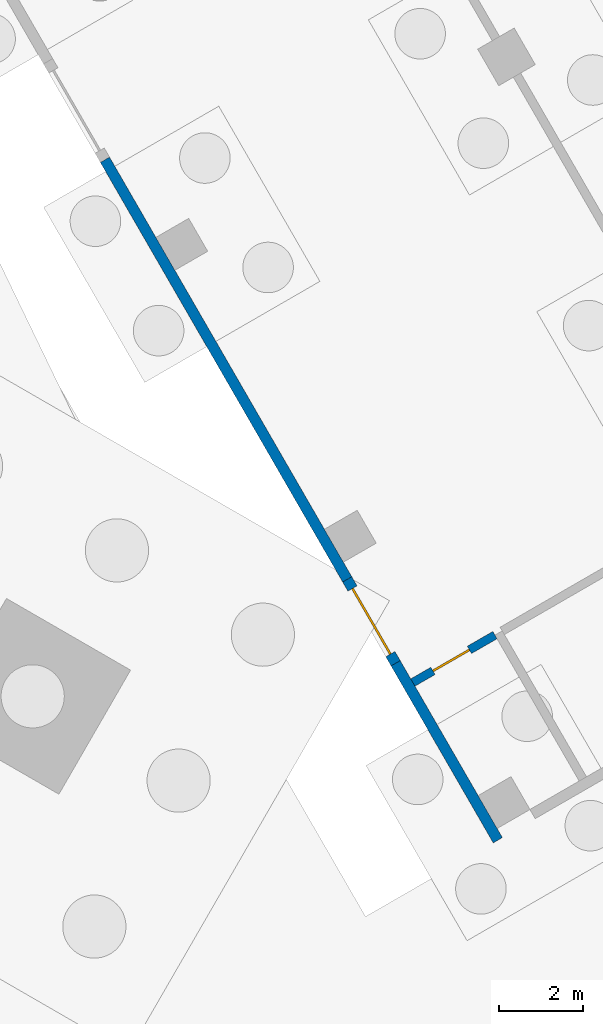
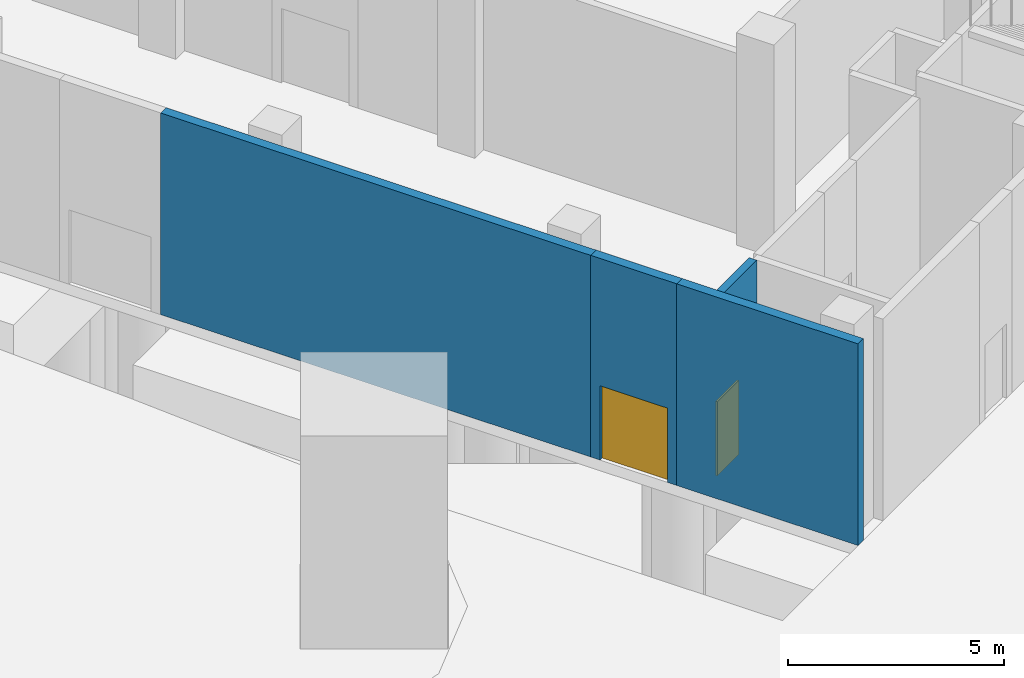
# One storey, part 13 of 38: 4 walls, 2 doors, 2 openings.
"""IFC4 building model written with IfcOpenShell, lengths in metres."""

from ifc_helpers import new_model, si_unit, direction, frame, frame_2d, origin, place, context, subcontext, project, spatial, rectangle, extrude, material, layer, layer_set, type_object, element, fill, save


model = new_model("IFC4")

# Units and contexts
model_context = context("Model", 3, precision=1e-05, world=origin(), true_north=direction((0.0, 1.0)))
body_context = subcontext(model_context, "Body", "Model", "MODEL_VIEW")
ifc_project = project(units=[si_unit("LENGTHUNIT", "METRE"), si_unit("AREAUNIT", "SQUARE_METRE"), si_unit("VOLUMEUNIT", "CUBIC_METRE"), si_unit("PLANEANGLEUNIT", "RADIAN"), si_unit("MASSUNIT", "GRAM", prefix="KILO")], contexts=[model_context])

# Site, building, storey
site_placement = place(None, origin())
site = spatial("IfcSite", under=ifc_project, at=site_placement, CompositionType="ELEMENT")
building_placement = place(site_placement, origin())
building = spatial("IfcBuilding", under=site, at=building_placement, Name="Mestral Congress Tower", CompositionType="ELEMENT")
storey_placement = place(building_placement, origin())
storey = spatial("IfcBuildingStorey", under=building, at=storey_placement, Name="L00", CompositionType="ELEMENT", Elevation=0.0)

# Wall
ifc_material_1 = material(Name="Precast concrete C40/50 with limestone facing", Category="masonry")
ifc_layer_1 = layer(ifc_material_1, 0.25)
ifc_layer_set_1 = layer_set([ifc_layer_1], Name="Precast concrete C40/50 with limestone facing")
wall_type_1 = type_object("IfcWallType", Name="Podium external wall 250", PredefinedType="SOLIDWALL", material=ifc_layer_set_1)
wall_1_placement = place(storey_placement, frame((42.5625, -21.614501953125, 0.0), z_axis=(0.0, 0.0, 1.0), x_axis=(-0.499972286653, 0.866041403502, 0.0)))
element("IfcWall", 1, at=wall_1_placement, inside=storey, type_object=wall_type_1, Name="L00 external wall", PredefinedType="SOLIDWALL", context=body_context, shape_type="SweptSolid", body=[
    extrude(rectangle(XDim=4.849853515625, YDim=0.25, at=frame_2d((2.4248046875, 0.0))), origin(), (0.0, 0.0, 1.0), 5.699951171875),
])

# Wall, opening, door
wall_2_placement = place(storey_placement, frame((40.1376953125, -17.414306640625, 0.0), z_axis=(0.0, 0.0, 1.0), x_axis=(-0.500031774688, 0.866007057882, 0.0)))
wall_2 = element("IfcWall", 2, at=wall_2_placement, inside=storey, type_object=wall_type_1, Name="L00 external wall", PredefinedType="SOLIDWALL", context=body_context, shape_type="SweptSolid", body=[
    extrude(rectangle(XDim=2.300048828125, YDim=0.25, at=frame_2d((1.14990234375, 0.0))), origin(), (0.0, 0.0, 1.0), 5.699951171875),
])
opening_1_placement = place(wall_2_placement, frame((0.25, 0.0, 0.0)))
opening_1 = element("IfcOpeningElement", 3, at=opening_1_placement, cuts=wall_2, Name="Opening P00-001", PredefinedType="OPENING", context=body_context, shape_type="SweptSolid", body=[
    extrude(rectangle(XDim=1.800048828125, YDim=2.10009765625, at=frame_2d((0.89990234375, 1.050048828125))), frame((0.0, 0.135009765625, 0.0), z_axis=(0.0, -1.0, 0.0), x_axis=(1.0, 0.0, 0.0)), (0.0, 0.0, 1.0), 0.27001953125),
])
ifc_material_2 = material(Name="Steel and glass door set", Category="steel")
door_type_1 = type_object("IfcDoorType", Name="Podium exit door 1800x2100", OperationType="DOUBLE_DOOR_SINGLE_SWING", PredefinedType="DOOR", material=ifc_material_2)
door_1_placement = place(opening_1_placement, origin())
door_1 = element("IfcDoor", 4, at=door_1_placement, inside=storey, type_object=door_type_1, Name="Door P00-001", OperationType="DOUBLE_DOOR_SINGLE_SWING", OverallHeight=2.10009765625, OverallWidth=1.800048828125, PredefinedType="DOOR", context=body_context, shape_type="SweptSolid", body=[
    extrude(rectangle(XDim=1.800048828125, YDim=2.10009765625, at=frame_2d((0.89990234375, 1.050048828125))), frame((0.0, 0.02490234375, 0.0), z_axis=(0.0, -1.0, 0.0), x_axis=(1.0, 0.0, 0.0)), (0.0, 0.0, 1.0), 0.050048828125),
])
fill(opening_1, door_1)

# Wall
wall_3_placement = place(storey_placement, frame((38.987548828125, -15.42236328125, 0.0), z_axis=(0.0, 0.0, 1.0), x_axis=(-0.500002395808, 0.866024020559, 0.0)))
element("IfcWall", 5, at=wall_3_placement, inside=storey, type_object=wall_type_1, Name="L00 external wall", PredefinedType="SOLIDWALL", context=body_context, shape_type="SweptSolid", body=[
    extrude(rectangle(XDim=11.5, YDim=0.25, at=frame_2d((5.75, 0.0))), origin(), (0.0, 0.0, 1.0), 5.699951171875),
])

# Wall, opening, door
ifc_material_3 = material(Name="Fire-rated board partition")
ifc_layer_2 = layer(ifc_material_3, 0.199951171875)
ifc_layer_set_2 = layer_set([ifc_layer_2], Name="Fire-rated board partition")
wall_type_2 = type_object("IfcWallType", Name="Podium vestibule wall 200 EI 120", PredefinedType="PARTITIONING", material=ifc_layer_set_2)
wall_4_placement = place(storey_placement, frame((42.494384765625, -16.746337890625, 0.0), z_axis=(0.0, 0.0, 1.0), x_axis=(-0.866017533419, -0.500013631625, 0.0)))
wall_4 = element("IfcWall", 6, at=wall_4_placement, inside=storey, type_object=wall_type_2, Name="L00 partition", PredefinedType="PARTITIONING", context=body_context, shape_type="SweptSolid", body=[
    extrude(rectangle(XDim=2.25, YDim=0.199951171875, at=frame_2d((1.125, 0.0))), origin(), (0.0, 0.0, 1.0), 5.10009765625),
])
opening_2_placement = place(wall_4_placement, frame((0.699951171875, 0.0, 0.0)))
opening_2 = element("IfcOpeningElement", 7, at=opening_2_placement, cuts=wall_4, Name="Opening P00-037", PredefinedType="OPENING", context=body_context, shape_type="SweptSolid", body=[
    extrude(rectangle(XDim=1.0, YDim=2.10009765625, at=frame_2d((0.5, 1.050048828125))), frame((0.0, 0.10986328125, 0.0), z_axis=(0.0, -1.0, 0.0), x_axis=(1.0, 0.0, 0.0)), (0.0, 0.0, 1.0), 0.219970703125),
])
ifc_material_4 = material(Name="Fire-rated steel door set", Category="steel")
door_type_2 = type_object("IfcDoorType", Name="Podium room door 1000x2100 EI2 30-C5", OperationType="SINGLE_SWING_LEFT", PredefinedType="DOOR", material=ifc_material_4)
door_2_placement = place(opening_2_placement, origin())
door_2 = element("IfcDoor", 8, at=door_2_placement, inside=storey, type_object=door_type_2, Name="Door P00-037", OperationType="SINGLE_SWING_LEFT", OverallHeight=2.10009765625, OverallWidth=1.0, PredefinedType="DOOR", context=body_context, shape_type="SweptSolid", body=[
    extrude(rectangle(XDim=1.0, YDim=2.10009765625, at=frame_2d((0.5, 1.050048828125))), frame((0.0, 0.02490234375, 0.0), z_axis=(0.0, -1.0, 0.0), x_axis=(1.0, 0.0, 0.0)), (0.0, 0.0, 1.0), 0.050048828125),
])
fill(opening_2, door_2)

save(model, "model.ifc")
